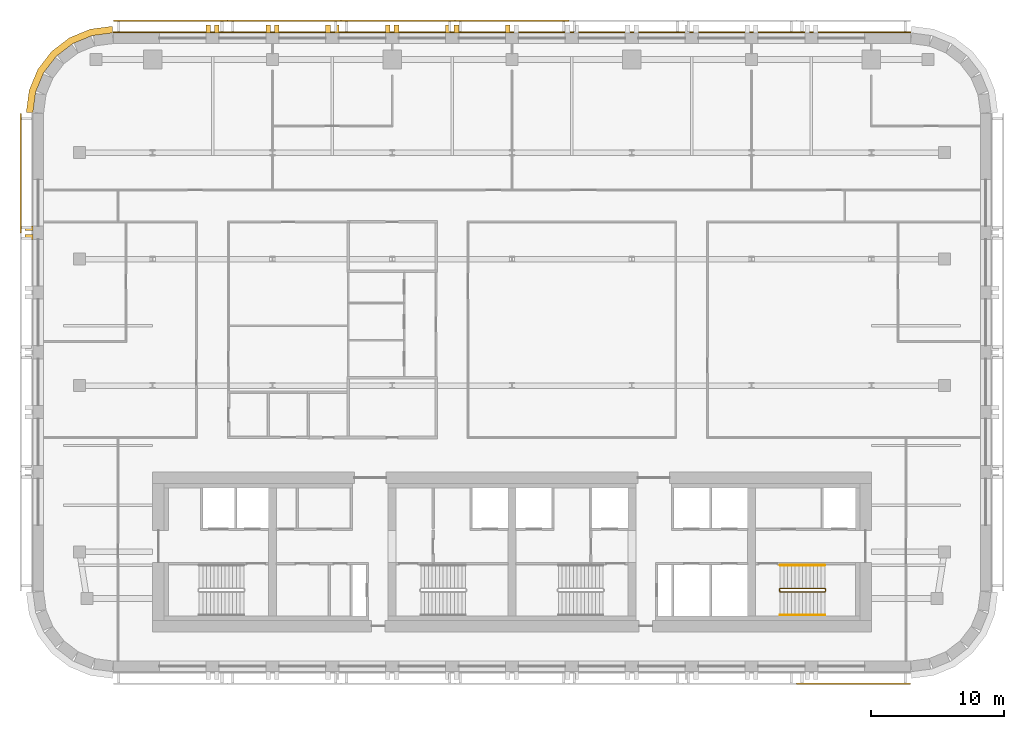
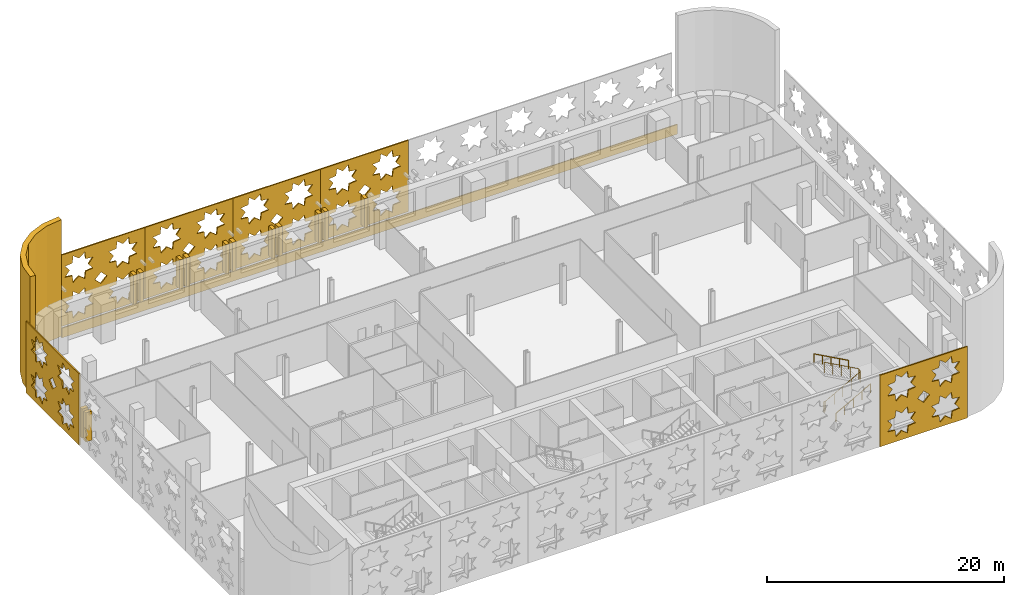
# One storey, part 12 of 14: 21 coverings, 3 railings.
"""IFC4 building model written with IfcOpenShell, lengths in metres."""

from ifc_helpers import new_model, si_unit, direction, frame, origin, origin_2d, place, context, subcontext, project, spatial, polyline, circle, outline, extrude, material, layer, layer_set, type_object, element, save


model = new_model("IFC4")

# Units and contexts
model_context = context("Model", 3, precision=1e-05, world=origin(), true_north=direction((0.0, 1.0)))
body_context = subcontext(model_context, "Body", "Model", "MODEL_VIEW")
ifc_project = project(units=[si_unit("LENGTHUNIT", "METRE"), si_unit("AREAUNIT", "SQUARE_METRE"), si_unit("VOLUMEUNIT", "CUBIC_METRE"), si_unit("PLANEANGLEUNIT", "RADIAN"), si_unit("MASSUNIT", "GRAM", prefix="KILO")], contexts=[model_context])

# Site, building, storey
site_placement = place(None, origin())
site = spatial("IfcSite", under=ifc_project, at=site_placement, CompositionType="ELEMENT")
building_placement = place(site_placement, origin())
building = spatial("IfcBuilding", under=site, at=building_placement, Name="Zellij Exchange Tower", CompositionType="ELEMENT")
storey_placement = place(building_placement, frame((0.0, 0.0, 164.5)))
storey = spatial("IfcBuildingStorey", under=building, at=storey_placement, Name="L37", CompositionType="ELEMENT", Elevation=164.5)

# Railings
ifc_material_1 = material(Name="Stainless steel", Category="steel")
railing_type_1 = type_object("IfcRailingType", Name="CORE-RG stair guard", PredefinedType="GUARDRAIL", material=ifc_material_1)
railing_1_placement = place(storey_placement, frame((20.10009765625, -10.949951171875, 0.0)))
element("IfcRailing", 1, at=railing_1_placement, inside=storey, type_object=railing_type_1, Name="ST4 stair guard L37", PredefinedType="GUARDRAIL", context=body_context, shape_type="SweptSolid", body=[
    extrude(circle(Radius=0.02392578125, at=origin_2d()), frame((0.0, 0.0, 1.076171875), z_axis=(0.0, 1.0, 0.0), x_axis=(-1.0, 0.0, 0.0)), (0.0, 0.0, 1.0), 0.14990234375),
    extrude(circle(Radius=0.02392578125, at=origin_2d()), frame((0.0, 0.14990234375, 1.076171875), z_axis=(0.193691321961, -0.777613689637, 0.598164376644), x_axis=(0.970351222016, 0.241699205484, 0.0)), (0.0, 0.0, 1.0), 0.257080078125),
    extrude(circle(Radius=0.02392578125, at=origin_2d()), frame((0.0498046875, -0.050048828125, 1.22998046875), z_axis=(0.876421534553, 0.0, 0.481544695509), x_axis=(0.0, 1.0, 0.0)), (0.0, 0.0, 1.0), 3.833984375),
    extrude(circle(Radius=0.02392578125, at=origin_2d()), frame((3.409912109375, -0.050048828125, 3.076171875), z_axis=(0.707106781187, 0.707106781187, 0.0), x_axis=(-0.707106781187, 0.707106781187, 0.0)), (0.0, 0.0, 1.0), 0.07080078125),
    extrude(circle(Radius=0.02392578125, at=origin_2d()), frame((3.4599609375, 0.0, 3.076171875), z_axis=(0.0, 1.0, 0.0), x_axis=(-1.0, 0.0, 0.0)), (0.0, 0.0, 1.0), 0.14990234375),
    extrude(circle(Radius=0.02392578125, at=origin_2d()), frame((3.4599609375, 0.14990234375, 3.076171875), z_axis=(-0.295599637079, 0.295599637079, 0.908428152975), x_axis=(-0.707106781187, -0.707106781187, 0.0)), (0.0, 0.0, 1.0), 0.16943359375),
    extrude(circle(Radius=0.02392578125, at=origin_2d()), frame((3.409912109375, 0.199951171875, 3.22998046875), z_axis=(-0.876421534553, 0.0, 0.481544695509), x_axis=(0.0, -1.0, 0.0)), (0.0, 0.0, 1.0), 3.833984375),
    extrude(circle(Radius=0.02099609375, at=origin_2d()), origin(), (0.0, 0.0, 1.0), 1.052001953125),
    extrude(circle(Radius=0.02099609375, at=origin_2d()), frame((0.0, 0.14990234375, 0.0)), (0.0, 0.0, 1.0), 1.052001953125),
    extrude(circle(Radius=0.02099609375, at=origin_2d()), frame((0.0498046875, -0.050048828125, 0.15380859375)), (0.0, 0.0, 1.0), 1.052001953125),
    extrude(circle(Radius=0.02099609375, at=origin_2d()), frame((0.889892578125, -0.050048828125, 0.615234375)), (0.0, 0.0, 1.0), 1.052001953125),
    extrude(circle(Radius=0.02099609375, at=origin_2d()), frame((1.72998046875, -0.050048828125, 1.076904296875)), (0.0, 0.0, 1.0), 1.052001953125),
    extrude(circle(Radius=0.02099609375, at=origin_2d()), frame((2.56982421875, -0.050048828125, 1.53857421875)), (0.0, 0.0, 1.0), 1.052001953125),
    extrude(circle(Radius=0.02099609375, at=origin_2d()), frame((3.409912109375, -0.050048828125, 2.0)), (0.0, 0.0, 1.0), 1.052001953125),
    extrude(circle(Radius=0.02099609375, at=origin_2d()), frame((3.4599609375, 0.0, 2.0)), (0.0, 0.0, 1.0), 1.052001953125),
    extrude(circle(Radius=0.02099609375, at=origin_2d()), frame((3.4599609375, 0.14990234375, 2.0)), (0.0, 0.0, 1.0), 1.052001953125),
    extrude(circle(Radius=0.02099609375, at=origin_2d()), frame((3.409912109375, 0.199951171875, 2.15380859375)), (0.0, 0.0, 1.0), 1.052001953125),
    extrude(circle(Radius=0.02099609375, at=origin_2d()), frame((2.56982421875, 0.199951171875, 2.615234375)), (0.0, 0.0, 1.0), 1.052001953125),
    extrude(circle(Radius=0.02099609375, at=origin_2d()), frame((1.72998046875, 0.199951171875, 3.076904296875)), (0.0, 0.0, 1.0), 1.052001953125),
    extrude(circle(Radius=0.02099609375, at=origin_2d()), frame((0.889892578125, 0.199951171875, 3.53857421875)), (0.0, 0.0, 1.0), 1.052001953125),
    extrude(circle(Radius=0.02099609375, at=origin_2d()), frame((0.0498046875, 0.199951171875, 4.0)), (0.0, 0.0, 1.0), 1.052001953125),
])
railing_type_2 = type_object("IfcRailingType", Name="CORE-RH stair handrail", PredefinedType="HANDRAIL", material=ifc_material_1)
railing_2_placement = place(storey_placement, frame((20.14990234375, -12.75, 0.15380859375)))
element("IfcRailing", 2, at=railing_2_placement, inside=storey, type_object=railing_type_2, Name="ST4 stair handrail L37", PredefinedType="HANDRAIL", context=body_context, shape_type="SweptSolid", body=[
    extrude(circle(Radius=0.02392578125, at=origin_2d()), frame((0.0, 0.0, 0.8759765625), z_axis=(0.876421534553, 0.0, 0.481544695509), x_axis=(0.0, 1.0, 0.0)), (0.0, 0.0, 1.0), 3.833984375),
    extrude(circle(Radius=0.02099609375, at=origin_2d()), origin(), (0.0, 0.0, 1.0), 0.851806640625),
    extrude(circle(Radius=0.02099609375, at=origin_2d()), frame((0.840087890625, 0.0, 0.46142578125)), (0.0, 0.0, 1.0), 0.851806640625),
    extrude(circle(Radius=0.02099609375, at=origin_2d()), frame((1.68017578125, 0.0, 0.923095703125)), (0.0, 0.0, 1.0), 0.851806640625),
    extrude(circle(Radius=0.02099609375, at=origin_2d()), frame((2.52001953125, 0.0, 1.384765625)), (0.0, 0.0, 1.0), 0.851806640625),
    extrude(circle(Radius=0.02099609375, at=origin_2d()), frame((3.360107421875, 0.0, 1.84619140625)), (0.0, 0.0, 1.0), 0.851806640625),
])
railing_3_placement = place(storey_placement, frame((23.510009765625, -9.0, 2.15380859375)))
element("IfcRailing", 3, at=railing_3_placement, inside=storey, type_object=railing_type_2, Name="ST4 stair handrail L37", PredefinedType="HANDRAIL", context=body_context, shape_type="SweptSolid", body=[
    extrude(circle(Radius=0.02392578125, at=origin_2d()), frame((0.0, 0.0, 0.8759765625), z_axis=(-0.876421534553, 0.0, 0.481544695509), x_axis=(0.0, -1.0, 0.0)), (0.0, 0.0, 1.0), 3.833984375),
    extrude(circle(Radius=0.02099609375, at=origin_2d()), origin(), (0.0, 0.0, 1.0), 0.851806640625),
    extrude(circle(Radius=0.02099609375, at=origin_2d()), frame((-0.840087890625, 0.0, 0.46142578125)), (0.0, 0.0, 1.0), 0.851806640625),
    extrude(circle(Radius=0.02099609375, at=origin_2d()), frame((-1.68017578125, 0.0, 0.923095703125)), (0.0, 0.0, 1.0), 0.851806640625),
    extrude(circle(Radius=0.02099609375, at=origin_2d()), frame((-2.52001953125, 0.0, 1.384765625)), (0.0, 0.0, 1.0), 0.851806640625),
    extrude(circle(Radius=0.02099609375, at=origin_2d()), frame((-3.360107421875, 0.0, 1.84619140625)), (0.0, 0.0, 1.0), 0.851806640625),
])

# Coverings
ifc_material_2 = material(Name="Limestone cladding", Category="masonry")
ifc_layer_1 = layer(ifc_material_2, 0.5)
ifc_layer_set_1 = layer_set([ifc_layer_1], Name="Limestone cladding")
covering_type_1 = type_object("IfcCoveringType", Name="ENV-CV12 Stone corner pier 500", PredefinedType="CLADDING", material=ifc_layer_set_1)
covering_1_placement = place(storey_placement, origin())
element("IfcCovering", 4, at=covering_1_placement, inside=storey, type_object=covering_type_1, Name="Stone corner pier", PredefinedType="CLADDING", context=body_context, shape_type="SweptSolid", body=[
    extrude(outline(polyline([(-30.0, 31.0), (-31.552978515625, 30.795654296875), (-33.0, 30.1962890625), (-34.24267578125, 29.24267578125), (-35.1962890625, 28.0), (-35.795654296875, 26.552978515625), (-36.0, 25.0), (-36.5, 25.03271484375), (-36.28271484375, 26.683349609375), (-35.6328125, 28.252197265625), (-34.59912109375, 29.59912109375), (-33.252197265625, 30.6328125), (-31.683349609375, 31.28271484375), (-30.03271484375, 31.5), (-30.0, 31.0)])), origin(), (0.0, 0.0, 1.0), 12.0),
])
covering_type_2 = type_object("IfcCoveringType", Name="ENV-CV3 Stone pier 350x600", PredefinedType="CLADDING", material=ifc_material_2)
covering_2_placement = place(storey_placement, frame((0.0, 0.0, 0.800048828125)))
element("IfcCovering", 5, at=covering_2_placement, inside=storey, type_object=covering_type_2, Name="Stone pier", PredefinedType="CLADDING", context=body_context, shape_type="SweptSolid", body=[
    extrude(outline(polyline([(-0.14990234375, 31.0), (-0.5, 31.0), (-0.5, 31.60009765625), (-0.14990234375, 31.60009765625), (-0.14990234375, 31.0)])), origin(), (0.0, 0.0, 1.0), 3.0),
])
covering_3_placement = place(storey_placement, frame((0.0, 0.0, 0.800048828125)))
element("IfcCovering", 6, at=covering_3_placement, inside=storey, type_object=covering_type_2, Name="Stone pier", PredefinedType="CLADDING", context=body_context, shape_type="SweptSolid", body=[
    extrude(outline(polyline([(-4.0, 31.0), (-4.35009765625, 31.0), (-4.35009765625, 31.60009765625), (-4.0, 31.60009765625), (-4.0, 31.0)])), origin(), (0.0, 0.0, 1.0), 3.0),
])
covering_4_placement = place(storey_placement, frame((0.0, 0.0, 0.800048828125)))
element("IfcCovering", 7, at=covering_4_placement, inside=storey, type_object=covering_type_2, Name="Stone pier", PredefinedType="CLADDING", context=body_context, shape_type="SweptSolid", body=[
    extrude(outline(polyline([(-4.64990234375, 31.0), (-5.0, 31.0), (-5.0, 31.60009765625), (-4.64990234375, 31.60009765625), (-4.64990234375, 31.0)])), origin(), (0.0, 0.0, 1.0), 3.0),
])
covering_5_placement = place(storey_placement, frame((0.0, 0.0, 0.800048828125)))
element("IfcCovering", 8, at=covering_5_placement, inside=storey, type_object=covering_type_2, Name="Stone pier", PredefinedType="CLADDING", context=body_context, shape_type="SweptSolid", body=[
    extrude(outline(polyline([(-8.5, 31.0), (-8.85009765625, 31.0), (-8.85009765625, 31.60009765625), (-8.5, 31.60009765625), (-8.5, 31.0)])), origin(), (0.0, 0.0, 1.0), 3.0),
])
covering_6_placement = place(storey_placement, frame((0.0, 0.0, 0.800048828125)))
element("IfcCovering", 9, at=covering_6_placement, inside=storey, type_object=covering_type_2, Name="Stone pier", PredefinedType="CLADDING", context=body_context, shape_type="SweptSolid", body=[
    extrude(outline(polyline([(-9.14990234375, 31.0), (-9.5, 31.0), (-9.5, 31.60009765625), (-9.14990234375, 31.60009765625), (-9.14990234375, 31.0)])), origin(), (0.0, 0.0, 1.0), 3.0),
])
covering_7_placement = place(storey_placement, frame((0.0, 0.0, 0.800048828125)))
element("IfcCovering", 10, at=covering_7_placement, inside=storey, type_object=covering_type_2, Name="Stone pier", PredefinedType="CLADDING", context=body_context, shape_type="SweptSolid", body=[
    extrude(outline(polyline([(-13.0, 31.0), (-13.35009765625, 31.0), (-13.35009765625, 31.60009765625), (-13.0, 31.60009765625), (-13.0, 31.0)])), origin(), (0.0, 0.0, 1.0), 3.0),
])
covering_8_placement = place(storey_placement, frame((0.0, 0.0, 0.800048828125)))
element("IfcCovering", 11, at=covering_8_placement, inside=storey, type_object=covering_type_2, Name="Stone pier", PredefinedType="CLADDING", context=body_context, shape_type="SweptSolid", body=[
    extrude(outline(polyline([(-13.64990234375, 31.0), (-14.0, 31.0), (-14.0, 31.60009765625), (-13.64990234375, 31.60009765625), (-13.64990234375, 31.0)])), origin(), (0.0, 0.0, 1.0), 3.0),
])
covering_9_placement = place(storey_placement, frame((0.0, 0.0, 0.800048828125)))
element("IfcCovering", 12, at=covering_9_placement, inside=storey, type_object=covering_type_2, Name="Stone pier", PredefinedType="CLADDING", context=body_context, shape_type="SweptSolid", body=[
    extrude(outline(polyline([(-17.5, 31.0), (-17.85009765625, 31.0), (-17.85009765625, 31.60009765625), (-17.5, 31.60009765625), (-17.5, 31.0)])), origin(), (0.0, 0.0, 1.0), 3.0),
])
covering_10_placement = place(storey_placement, frame((0.0, 0.0, 0.800048828125)))
element("IfcCovering", 13, at=covering_10_placement, inside=storey, type_object=covering_type_2, Name="Stone pier", PredefinedType="CLADDING", context=body_context, shape_type="SweptSolid", body=[
    extrude(outline(polyline([(-18.14990234375, 31.0), (-18.5, 31.0), (-18.5, 31.60009765625), (-18.14990234375, 31.60009765625), (-18.14990234375, 31.0)])), origin(), (0.0, 0.0, 1.0), 3.0),
])
covering_11_placement = place(storey_placement, frame((0.0, 0.0, 0.800048828125)))
element("IfcCovering", 14, at=covering_11_placement, inside=storey, type_object=covering_type_2, Name="Stone pier", PredefinedType="CLADDING", context=body_context, shape_type="SweptSolid", body=[
    extrude(outline(polyline([(-22.0, 31.0), (-22.35009765625, 31.0), (-22.35009765625, 31.60009765625), (-22.0, 31.60009765625), (-22.0, 31.0)])), origin(), (0.0, 0.0, 1.0), 3.0),
])
covering_12_placement = place(storey_placement, frame((0.0, 0.0, 0.800048828125)))
element("IfcCovering", 15, at=covering_12_placement, inside=storey, type_object=covering_type_2, Name="Stone pier", PredefinedType="CLADDING", context=body_context, shape_type="SweptSolid", body=[
    extrude(outline(polyline([(-22.64990234375, 31.0), (-23.0, 31.0), (-23.0, 31.60009765625), (-22.64990234375, 31.60009765625), (-22.64990234375, 31.0)])), origin(), (0.0, 0.0, 1.0), 3.0),
])
covering_13_placement = place(storey_placement, frame((0.0, 0.0, 0.800048828125)))
element("IfcCovering", 16, at=covering_13_placement, inside=storey, type_object=covering_type_2, Name="Stone pier", PredefinedType="CLADDING", context=body_context, shape_type="SweptSolid", body=[
    extrude(outline(polyline([(-36.0, 16.48681640625), (-36.0, 16.136962890625), (-36.60009765625, 16.136962890625), (-36.60009765625, 16.48681640625), (-36.0, 16.48681640625)])), origin(), (0.0, 0.0, 1.0), 3.0),
])
covering_14_placement = place(storey_placement, frame((0.0, 0.0, 0.800048828125)))
element("IfcCovering", 17, at=covering_14_placement, inside=storey, type_object=covering_type_2, Name="Stone pier", PredefinedType="CLADDING", context=body_context, shape_type="SweptSolid", body=[
    extrude(outline(polyline([(-36.0, 15.8369140625), (-36.0, 15.48681640625), (-36.60009765625, 15.48681640625), (-36.60009765625, 15.8369140625), (-36.0, 15.8369140625)])), origin(), (0.0, 0.0, 1.0), 3.0),
])
ifc_layer_2 = layer(ifc_material_2, 0.10009765625)
ifc_layer_set_2 = layer_set([ifc_layer_2], Name="Limestone cladding")
covering_type_3 = type_object("IfcCoveringType", Name="ENV-CV9 Stone spandrel band 100", PredefinedType="CLADDING", material=ifc_layer_set_2)
covering_15_placement = place(storey_placement, frame((0.0, 0.0, -0.199951171875)))
element("IfcCovering", 18, at=covering_15_placement, inside=storey, type_object=covering_type_3, Name="Stone spandrel band", PredefinedType="CLADDING", context=body_context, shape_type="SweptSolid", body=[
    extrude(outline(polyline([(29.973876953125, 31.0), (-29.973876953125, 31.0), (-29.980224609375, 31.10009765625), (29.980224609375, 31.10009765625), (29.973876953125, 31.0)])), origin(), (0.0, 0.0, 1.0), 1.0),
])
ifc_material_3 = material(Name="Limestone screen", Category="masonry")
ifc_layer_3 = layer(ifc_material_3, 0.1201171875)
ifc_layer_set_3 = layer_set([ifc_layer_3], Name="Limestone screen")
covering_type_4 = type_object("IfcCoveringType", Name="ENV-SC1 Pierced stone screen 120", PredefinedType="USERDEFINED", material=ifc_layer_set_3)
covering_16_placement = place(storey_placement, frame((-36.909912109375, 24.947509765625, 0.300048828125), z_axis=(0.0, 0.0, 1.0), x_axis=(0.0, -1.0, 0.0)))
element("IfcCovering", 19, at=covering_16_placement, inside=storey, type_object=covering_type_4, Name="Pierced stone screen", ObjectType="SCREEN", PredefinedType="USERDEFINED", context=body_context, shape_type="SweptSolid", body=[
    extrude(outline(polyline([(0.0, 0.0), (8.973876953125, 0.0), (8.973876953125, 7.35009765625), (0.0, 7.35009765625), (0.0, 0.0)]), holes=[polyline([(3.6015625, 2.39990234375), (2.887939453125, 2.48193359375), (2.805908203125, 3.195556640625), (2.243408203125, 2.748779296875), (1.680908203125, 3.195556640625), (1.59912109375, 2.48193359375), (0.88525390625, 2.39990234375), (1.33203125, 1.83740234375), (0.88525390625, 1.27490234375), (1.59912109375, 1.193115234375), (1.680908203125, 0.4794921875), (2.243408203125, 0.926025390625), (2.805908203125, 0.4794921875), (2.887939453125, 1.193115234375), (3.6015625, 1.27490234375), (3.15478515625, 1.83740234375), (3.6015625, 2.39990234375)]), polyline([(3.6015625, 6.074951171875), (2.887939453125, 6.156982421875), (2.805908203125, 6.87060546875), (2.243408203125, 6.423828125), (1.680908203125, 6.87060546875), (1.59912109375, 6.156982421875), (0.88525390625, 6.074951171875), (1.33203125, 5.512451171875), (0.88525390625, 4.949951171875), (1.59912109375, 4.867919921875), (1.680908203125, 4.154296875), (2.243408203125, 4.60107421875), (2.805908203125, 4.154296875), (2.887939453125, 4.867919921875), (3.6015625, 4.949951171875), (3.15478515625, 5.512451171875), (3.6015625, 6.074951171875)]), polyline([(8.08837890625, 2.39990234375), (7.374755859375, 2.48193359375), (7.29296875, 3.195556640625), (6.730224609375, 2.748779296875), (6.167724609375, 3.195556640625), (6.0859375, 2.48193359375), (5.372314453125, 2.39990234375), (5.81884765625, 1.83740234375), (5.372314453125, 1.27490234375), (6.0859375, 1.193115234375), (6.167724609375, 0.4794921875), (6.730224609375, 0.926025390625), (7.29296875, 0.4794921875), (7.374755859375, 1.193115234375), (8.08837890625, 1.27490234375), (7.6416015625, 1.83740234375), (8.08837890625, 2.39990234375)]), polyline([(8.08837890625, 6.074951171875), (7.374755859375, 6.156982421875), (7.29296875, 6.87060546875), (6.730224609375, 6.423828125), (6.167724609375, 6.87060546875), (6.0859375, 6.156982421875), (5.372314453125, 6.074951171875), (5.81884765625, 5.512451171875), (5.372314453125, 4.949951171875), (6.0859375, 4.867919921875), (6.167724609375, 4.154296875), (6.730224609375, 4.60107421875), (7.29296875, 4.154296875), (7.374755859375, 4.867919921875), (8.08837890625, 4.949951171875), (7.6416015625, 5.512451171875), (8.08837890625, 6.074951171875)]), polyline([(5.074951171875, 3.675048828125), (4.48681640625, 4.262939453125), (3.89892578125, 3.675048828125), (4.48681640625, 3.0869140625), (5.074951171875, 3.675048828125)])]), frame((0.0, 0.06005859375, 0.0), z_axis=(0.0, -1.0, 0.0), x_axis=(1.0, 0.0, 0.0)), (0.0, 0.0, 1.0), 0.1201171875),
])
covering_17_placement = place(storey_placement, frame((21.39111328125, -17.909912109375, 0.300048828125), z_axis=(0.0, 0.0, 1.0), x_axis=(1.0, 0.0, 0.0)))
element("IfcCovering", 20, at=covering_17_placement, inside=storey, type_object=covering_type_4, Name="Pierced stone screen", ObjectType="SCREEN", PredefinedType="USERDEFINED", context=body_context, shape_type="SweptSolid", body=[
    extrude(outline(polyline([(0.0, 0.0), (8.556396484375, 0.0), (8.556396484375, 7.35009765625), (0.0, 7.35009765625), (0.0, 0.0)]), holes=[polyline([(3.497314453125, 2.39990234375), (2.78369140625, 2.48193359375), (2.70166015625, 3.195556640625), (2.13916015625, 2.748779296875), (1.57666015625, 3.195556640625), (1.49462890625, 2.48193359375), (0.781005859375, 2.39990234375), (1.227783203125, 1.83740234375), (0.781005859375, 1.27490234375), (1.49462890625, 1.193115234375), (1.57666015625, 0.4794921875), (2.13916015625, 0.926025390625), (2.70166015625, 0.4794921875), (2.78369140625, 1.193115234375), (3.497314453125, 1.27490234375), (3.050537109375, 1.83740234375), (3.497314453125, 2.39990234375)]), polyline([(3.497314453125, 6.074951171875), (2.78369140625, 6.156982421875), (2.70166015625, 6.87060546875), (2.13916015625, 6.423828125), (1.57666015625, 6.87060546875), (1.49462890625, 6.156982421875), (0.781005859375, 6.074951171875), (1.227783203125, 5.512451171875), (0.781005859375, 4.949951171875), (1.49462890625, 4.867919921875), (1.57666015625, 4.154296875), (2.13916015625, 4.60107421875), (2.70166015625, 4.154296875), (2.78369140625, 4.867919921875), (3.497314453125, 4.949951171875), (3.050537109375, 5.512451171875), (3.497314453125, 6.074951171875)]), polyline([(7.775390625, 2.39990234375), (7.061767578125, 2.48193359375), (6.97998046875, 3.195556640625), (6.417236328125, 2.748779296875), (5.854736328125, 3.195556640625), (5.77294921875, 2.48193359375), (5.05908203125, 2.39990234375), (5.505859375, 1.83740234375), (5.05908203125, 1.27490234375), (5.77294921875, 1.193115234375), (5.854736328125, 0.4794921875), (6.417236328125, 0.926025390625), (6.97998046875, 0.4794921875), (7.061767578125, 1.193115234375), (7.775390625, 1.27490234375), (7.32861328125, 1.83740234375), (7.775390625, 2.39990234375)]), polyline([(7.775390625, 6.074951171875), (7.061767578125, 6.156982421875), (6.97998046875, 6.87060546875), (6.417236328125, 6.423828125), (5.854736328125, 6.87060546875), (5.77294921875, 6.156982421875), (5.05908203125, 6.074951171875), (5.505859375, 5.512451171875), (5.05908203125, 4.949951171875), (5.77294921875, 4.867919921875), (5.854736328125, 4.154296875), (6.417236328125, 4.60107421875), (6.97998046875, 4.154296875), (7.061767578125, 4.867919921875), (7.775390625, 4.949951171875), (7.32861328125, 5.512451171875), (7.775390625, 6.074951171875)]), polyline([(4.8662109375, 3.675048828125), (4.2783203125, 4.262939453125), (3.690185546875, 3.675048828125), (4.2783203125, 3.0869140625), (4.8662109375, 3.675048828125)])]), frame((0.0, 0.06005859375, 0.0), z_axis=(0.0, -1.0, 0.0), x_axis=(1.0, 0.0, 0.0)), (0.0, 0.0, 1.0), 0.1201171875),
])
covering_18_placement = place(storey_placement, frame((4.2783203125, 31.909912109375, 0.300048828125), z_axis=(0.0, 0.0, 1.0), x_axis=(-1.0, 0.0, 0.0)))
element("IfcCovering", 21, at=covering_18_placement, inside=storey, type_object=covering_type_4, Name="Pierced stone screen", ObjectType="SCREEN", PredefinedType="USERDEFINED", context=body_context, shape_type="SweptSolid", body=[
    extrude(outline(polyline([(0.0, 0.0), (8.556396484375, 0.0), (8.556396484375, 7.35009765625), (0.0, 7.35009765625), (0.0, 0.0)]), holes=[polyline([(3.497314453125, 2.39990234375), (2.78369140625, 2.48193359375), (2.70166015625, 3.195556640625), (2.13916015625, 2.748779296875), (1.57666015625, 3.195556640625), (1.49462890625, 2.48193359375), (0.781005859375, 2.39990234375), (1.227783203125, 1.83740234375), (0.781005859375, 1.27490234375), (1.49462890625, 1.193115234375), (1.57666015625, 0.4794921875), (2.13916015625, 0.926025390625), (2.70166015625, 0.4794921875), (2.78369140625, 1.193115234375), (3.497314453125, 1.27490234375), (3.050537109375, 1.83740234375), (3.497314453125, 2.39990234375)]), polyline([(3.497314453125, 6.074951171875), (2.78369140625, 6.156982421875), (2.70166015625, 6.87060546875), (2.13916015625, 6.423828125), (1.57666015625, 6.87060546875), (1.49462890625, 6.156982421875), (0.781005859375, 6.074951171875), (1.227783203125, 5.512451171875), (0.781005859375, 4.949951171875), (1.49462890625, 4.867919921875), (1.57666015625, 4.154296875), (2.13916015625, 4.60107421875), (2.70166015625, 4.154296875), (2.78369140625, 4.867919921875), (3.497314453125, 4.949951171875), (3.050537109375, 5.512451171875), (3.497314453125, 6.074951171875)]), polyline([(7.775390625, 2.39990234375), (7.061767578125, 2.48193359375), (6.97998046875, 3.195556640625), (6.417236328125, 2.748779296875), (5.854736328125, 3.195556640625), (5.77294921875, 2.48193359375), (5.05908203125, 2.39990234375), (5.505859375, 1.83740234375), (5.05908203125, 1.27490234375), (5.77294921875, 1.193115234375), (5.854736328125, 0.4794921875), (6.417236328125, 0.926025390625), (6.97998046875, 0.4794921875), (7.061767578125, 1.193115234375), (7.775390625, 1.27490234375), (7.32861328125, 1.83740234375), (7.775390625, 2.39990234375)]), polyline([(7.775390625, 6.074951171875), (7.061767578125, 6.156982421875), (6.97998046875, 6.87060546875), (6.417236328125, 6.423828125), (5.854736328125, 6.87060546875), (5.77294921875, 6.156982421875), (5.05908203125, 6.074951171875), (5.505859375, 5.512451171875), (5.05908203125, 4.949951171875), (5.77294921875, 4.867919921875), (5.854736328125, 4.154296875), (6.417236328125, 4.60107421875), (6.97998046875, 4.154296875), (7.061767578125, 4.867919921875), (7.775390625, 4.949951171875), (7.32861328125, 5.512451171875), (7.775390625, 6.074951171875)]), polyline([(4.8662109375, 3.675048828125), (4.2783203125, 4.262939453125), (3.690185546875, 3.675048828125), (4.2783203125, 3.0869140625), (4.8662109375, 3.675048828125)])]), frame((0.0, 0.06005859375, 0.0), z_axis=(0.0, -1.0, 0.0), x_axis=(1.0, 0.0, 0.0)), (0.0, 0.0, 1.0), 0.1201171875),
])
covering_19_placement = place(storey_placement, frame((-4.2783203125, 31.909912109375, 0.300048828125), z_axis=(0.0, 0.0, 1.0), x_axis=(-1.0, 0.0, 0.0)))
element("IfcCovering", 22, at=covering_19_placement, inside=storey, type_object=covering_type_4, Name="Pierced stone screen", ObjectType="SCREEN", PredefinedType="USERDEFINED", context=body_context, shape_type="SweptSolid", body=[
    extrude(outline(polyline([(0.0, 0.0), (8.556396484375, 0.0), (8.556396484375, 7.35009765625), (0.0, 7.35009765625), (0.0, 0.0)]), holes=[polyline([(3.497314453125, 2.39990234375), (2.78369140625, 2.48193359375), (2.70166015625, 3.195556640625), (2.13916015625, 2.748779296875), (1.57666015625, 3.195556640625), (1.49462890625, 2.48193359375), (0.781005859375, 2.39990234375), (1.227783203125, 1.83740234375), (0.781005859375, 1.27490234375), (1.49462890625, 1.193115234375), (1.57666015625, 0.4794921875), (2.13916015625, 0.926025390625), (2.70166015625, 0.4794921875), (2.78369140625, 1.193115234375), (3.497314453125, 1.27490234375), (3.050537109375, 1.83740234375), (3.497314453125, 2.39990234375)]), polyline([(3.497314453125, 6.074951171875), (2.78369140625, 6.156982421875), (2.70166015625, 6.87060546875), (2.13916015625, 6.423828125), (1.57666015625, 6.87060546875), (1.49462890625, 6.156982421875), (0.781005859375, 6.074951171875), (1.227783203125, 5.512451171875), (0.781005859375, 4.949951171875), (1.49462890625, 4.867919921875), (1.57666015625, 4.154296875), (2.13916015625, 4.60107421875), (2.70166015625, 4.154296875), (2.78369140625, 4.867919921875), (3.497314453125, 4.949951171875), (3.050537109375, 5.512451171875), (3.497314453125, 6.074951171875)]), polyline([(7.775390625, 2.39990234375), (7.061767578125, 2.48193359375), (6.97998046875, 3.195556640625), (6.417236328125, 2.748779296875), (5.854736328125, 3.195556640625), (5.77294921875, 2.48193359375), (5.05908203125, 2.39990234375), (5.505859375, 1.83740234375), (5.05908203125, 1.27490234375), (5.77294921875, 1.193115234375), (5.854736328125, 0.4794921875), (6.417236328125, 0.926025390625), (6.97998046875, 0.4794921875), (7.061767578125, 1.193115234375), (7.775390625, 1.27490234375), (7.32861328125, 1.83740234375), (7.775390625, 2.39990234375)]), polyline([(7.775390625, 6.074951171875), (7.061767578125, 6.156982421875), (6.97998046875, 6.87060546875), (6.417236328125, 6.423828125), (5.854736328125, 6.87060546875), (5.77294921875, 6.156982421875), (5.05908203125, 6.074951171875), (5.505859375, 5.512451171875), (5.05908203125, 4.949951171875), (5.77294921875, 4.867919921875), (5.854736328125, 4.154296875), (6.417236328125, 4.60107421875), (6.97998046875, 4.154296875), (7.061767578125, 4.867919921875), (7.775390625, 4.949951171875), (7.32861328125, 5.512451171875), (7.775390625, 6.074951171875)]), polyline([(4.8662109375, 3.675048828125), (4.2783203125, 4.262939453125), (3.690185546875, 3.675048828125), (4.2783203125, 3.0869140625), (4.8662109375, 3.675048828125)])]), frame((0.0, 0.06005859375, 0.0), z_axis=(0.0, -1.0, 0.0), x_axis=(1.0, 0.0, 0.0)), (0.0, 0.0, 1.0), 0.1201171875),
])
covering_20_placement = place(storey_placement, frame((-12.834716796875, 31.909912109375, 0.300048828125), z_axis=(0.0, 0.0, 1.0), x_axis=(-1.0, 0.0, 0.0)))
element("IfcCovering", 23, at=covering_20_placement, inside=storey, type_object=covering_type_4, Name="Pierced stone screen", ObjectType="SCREEN", PredefinedType="USERDEFINED", context=body_context, shape_type="SweptSolid", body=[
    extrude(outline(polyline([(0.0, 0.0), (8.556396484375, 0.0), (8.556396484375, 7.35009765625), (0.0, 7.35009765625), (0.0, 0.0)]), holes=[polyline([(3.497314453125, 2.39990234375), (2.78369140625, 2.48193359375), (2.70166015625, 3.195556640625), (2.13916015625, 2.748779296875), (1.57666015625, 3.195556640625), (1.49462890625, 2.48193359375), (0.781005859375, 2.39990234375), (1.227783203125, 1.83740234375), (0.781005859375, 1.27490234375), (1.49462890625, 1.193115234375), (1.57666015625, 0.4794921875), (2.13916015625, 0.926025390625), (2.70166015625, 0.4794921875), (2.78369140625, 1.193115234375), (3.497314453125, 1.27490234375), (3.050537109375, 1.83740234375), (3.497314453125, 2.39990234375)]), polyline([(3.497314453125, 6.074951171875), (2.78369140625, 6.156982421875), (2.70166015625, 6.87060546875), (2.13916015625, 6.423828125), (1.57666015625, 6.87060546875), (1.49462890625, 6.156982421875), (0.781005859375, 6.074951171875), (1.227783203125, 5.512451171875), (0.781005859375, 4.949951171875), (1.49462890625, 4.867919921875), (1.57666015625, 4.154296875), (2.13916015625, 4.60107421875), (2.70166015625, 4.154296875), (2.78369140625, 4.867919921875), (3.497314453125, 4.949951171875), (3.050537109375, 5.512451171875), (3.497314453125, 6.074951171875)]), polyline([(7.775390625, 2.39990234375), (7.061767578125, 2.48193359375), (6.97998046875, 3.195556640625), (6.417236328125, 2.748779296875), (5.854736328125, 3.195556640625), (5.77294921875, 2.48193359375), (5.05908203125, 2.39990234375), (5.505859375, 1.83740234375), (5.05908203125, 1.27490234375), (5.77294921875, 1.193115234375), (5.854736328125, 0.4794921875), (6.417236328125, 0.926025390625), (6.97998046875, 0.4794921875), (7.061767578125, 1.193115234375), (7.775390625, 1.27490234375), (7.32861328125, 1.83740234375), (7.775390625, 2.39990234375)]), polyline([(7.775390625, 6.074951171875), (7.061767578125, 6.156982421875), (6.97998046875, 6.87060546875), (6.417236328125, 6.423828125), (5.854736328125, 6.87060546875), (5.77294921875, 6.156982421875), (5.05908203125, 6.074951171875), (5.505859375, 5.512451171875), (5.05908203125, 4.949951171875), (5.77294921875, 4.867919921875), (5.854736328125, 4.154296875), (6.417236328125, 4.60107421875), (6.97998046875, 4.154296875), (7.061767578125, 4.867919921875), (7.775390625, 4.949951171875), (7.32861328125, 5.512451171875), (7.775390625, 6.074951171875)]), polyline([(4.8662109375, 3.675048828125), (4.2783203125, 4.262939453125), (3.690185546875, 3.675048828125), (4.2783203125, 3.0869140625), (4.8662109375, 3.675048828125)])]), frame((0.0, 0.06005859375, 0.0), z_axis=(0.0, -1.0, 0.0), x_axis=(1.0, 0.0, 0.0)), (0.0, 0.0, 1.0), 0.1201171875),
])
covering_21_placement = place(storey_placement, frame((-21.39111328125, 31.909912109375, 0.300048828125), z_axis=(0.0, 0.0, 1.0), x_axis=(-1.0, 0.0, 0.0)))
element("IfcCovering", 24, at=covering_21_placement, inside=storey, type_object=covering_type_4, Name="Pierced stone screen", ObjectType="SCREEN", PredefinedType="USERDEFINED", context=body_context, shape_type="SweptSolid", body=[
    extrude(outline(polyline([(0.0, 0.0), (8.556396484375, 0.0), (8.556396484375, 7.35009765625), (0.0, 7.35009765625), (0.0, 0.0)]), holes=[polyline([(3.497314453125, 2.39990234375), (2.78369140625, 2.48193359375), (2.70166015625, 3.195556640625), (2.13916015625, 2.748779296875), (1.57666015625, 3.195556640625), (1.49462890625, 2.48193359375), (0.781005859375, 2.39990234375), (1.227783203125, 1.83740234375), (0.781005859375, 1.27490234375), (1.49462890625, 1.193115234375), (1.57666015625, 0.4794921875), (2.13916015625, 0.926025390625), (2.70166015625, 0.4794921875), (2.78369140625, 1.193115234375), (3.497314453125, 1.27490234375), (3.050537109375, 1.83740234375), (3.497314453125, 2.39990234375)]), polyline([(3.497314453125, 6.074951171875), (2.78369140625, 6.156982421875), (2.70166015625, 6.87060546875), (2.13916015625, 6.423828125), (1.57666015625, 6.87060546875), (1.49462890625, 6.156982421875), (0.781005859375, 6.074951171875), (1.227783203125, 5.512451171875), (0.781005859375, 4.949951171875), (1.49462890625, 4.867919921875), (1.57666015625, 4.154296875), (2.13916015625, 4.60107421875), (2.70166015625, 4.154296875), (2.78369140625, 4.867919921875), (3.497314453125, 4.949951171875), (3.050537109375, 5.512451171875), (3.497314453125, 6.074951171875)]), polyline([(7.775390625, 2.39990234375), (7.061767578125, 2.48193359375), (6.97998046875, 3.195556640625), (6.417236328125, 2.748779296875), (5.854736328125, 3.195556640625), (5.77294921875, 2.48193359375), (5.05908203125, 2.39990234375), (5.505859375, 1.83740234375), (5.05908203125, 1.27490234375), (5.77294921875, 1.193115234375), (5.854736328125, 0.4794921875), (6.417236328125, 0.926025390625), (6.97998046875, 0.4794921875), (7.061767578125, 1.193115234375), (7.775390625, 1.27490234375), (7.32861328125, 1.83740234375), (7.775390625, 2.39990234375)]), polyline([(7.775390625, 6.074951171875), (7.061767578125, 6.156982421875), (6.97998046875, 6.87060546875), (6.417236328125, 6.423828125), (5.854736328125, 6.87060546875), (5.77294921875, 6.156982421875), (5.05908203125, 6.074951171875), (5.505859375, 5.512451171875), (5.05908203125, 4.949951171875), (5.77294921875, 4.867919921875), (5.854736328125, 4.154296875), (6.417236328125, 4.60107421875), (6.97998046875, 4.154296875), (7.061767578125, 4.867919921875), (7.775390625, 4.949951171875), (7.32861328125, 5.512451171875), (7.775390625, 6.074951171875)]), polyline([(4.8662109375, 3.675048828125), (4.2783203125, 4.262939453125), (3.690185546875, 3.675048828125), (4.2783203125, 3.0869140625), (4.8662109375, 3.675048828125)])]), frame((0.0, 0.06005859375, 0.0), z_axis=(0.0, -1.0, 0.0), x_axis=(1.0, 0.0, 0.0)), (0.0, 0.0, 1.0), 0.1201171875),
])

save(model, "model.ifc")
